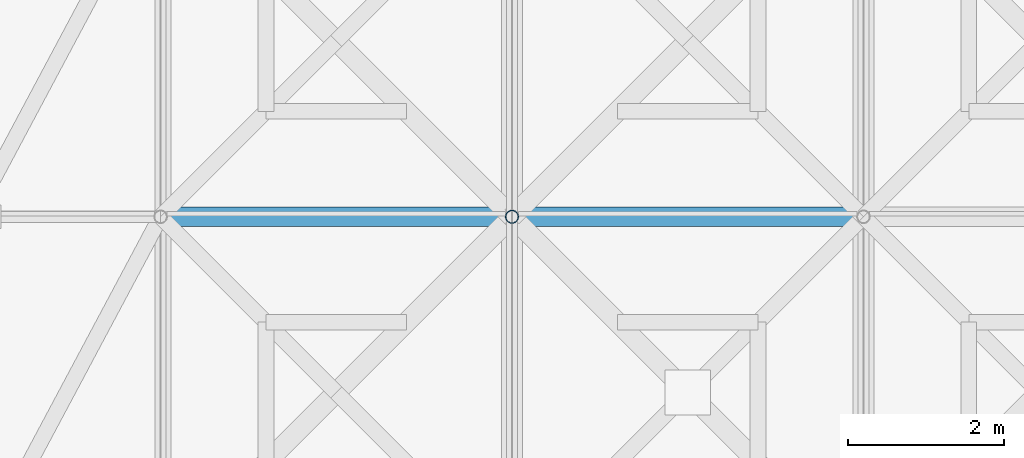
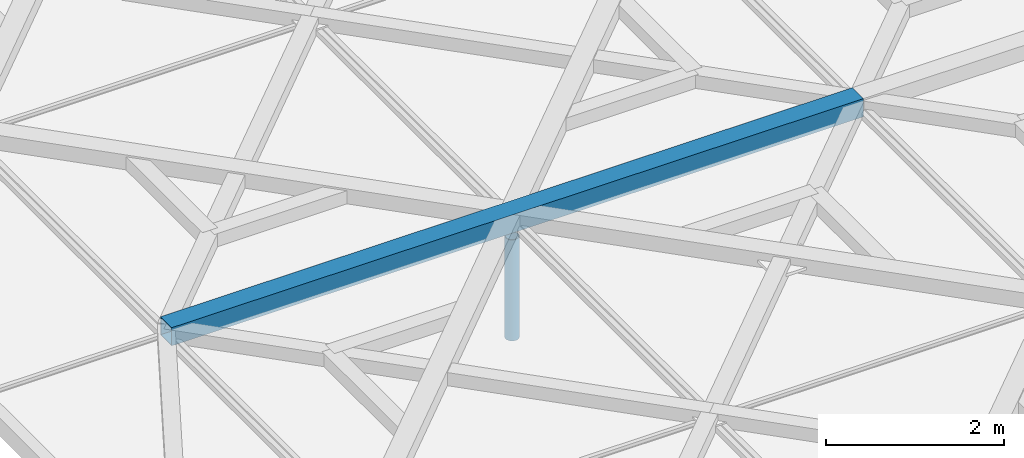
# One storey, part 10 of 80: 2 members.
"""IFC4 building model written with IfcOpenShell, lengths in metres."""

from ifc_helpers import new_model, si_unit, direction, frame, origin, origin_2d, place, context, subcontext, project, spatial, hollow_rectangle, hollow_circle, extrude, material, material_profile, profile_set, type_object, element, save


model = new_model("IFC4")

# Units and contexts
model_context = context("Model", 3, precision=1e-05, world=origin(), true_north=direction((0.0, 1.0)))
body_context = subcontext(model_context, "Body", "Model", "MODEL_VIEW")
ifc_project = project(units=[si_unit("LENGTHUNIT", "METRE"), si_unit("AREAUNIT", "SQUARE_METRE"), si_unit("VOLUMEUNIT", "CUBIC_METRE"), si_unit("PLANEANGLEUNIT", "RADIAN"), si_unit("MASSUNIT", "GRAM", prefix="KILO"), si_unit("THERMODYNAMICTEMPERATUREUNIT", "KELVIN"), si_unit("POWERUNIT", "WATT")], contexts=[model_context])

# Site, building, storey
site_placement = place(None, origin())
site = spatial("IfcSite", under=ifc_project, at=site_placement, CompositionType="ELEMENT")
building_placement = place(site_placement, origin())
building = spatial("IfcBuilding", under=site, at=building_placement, Name="Tallowbark Science Centre", CompositionType="ELEMENT")
storey_placement = place(building_placement, frame((0.0, 0.0, 25.949951171875)))
storey = spatial("IfcBuildingStorey", under=building, at=storey_placement, Name="ROOF", CompositionType="ELEMENT", Elevation=25.949951171875)

# Members
ifc_material = material(Name="White Architectural Painted Steel Grade C350L0 (350 MPa)", Category="steel")
ifc_material_profile_1 = material_profile(ifc_material, hollow_rectangle(XDim=0.25, YDim=0.25, WallThickness=0.009033203125, at=origin_2d()), Name="250x250x9.0SHS")
ifc_profile_set_1 = profile_set([ifc_material_profile_1], Name="White Architectural Painted Steel Grade C350L0 (350 MPa)")
member_type_1 = type_object("IfcMemberType", Name="SCR-CHD200", PredefinedType="CHORD", material=ifc_profile_set_1)
member_1_placement = place(storey_placement, frame((58.5, 22.5, 0.449951171875), z_axis=(1.0, 0.0, 0.0), x_axis=(0.0, 1.0, 0.0)))
element("IfcMember", 1, at=member_1_placement, inside=storey, type_object=member_type_1, Name="Star Screen Frame Chord TOP-55", PredefinedType="CHORD", context=body_context, shape_type="SweptSolid", body=[
    extrude(hollow_rectangle(XDim=0.25, YDim=0.25, WallThickness=0.009033203125, at=origin_2d()), origin(), (0.0, 0.0, 1.0), 9.0),
])
ifc_material_profile_2 = material_profile(ifc_material, hollow_circle(Radius=0.084228515625, WallThickness=0.007080078125, at=origin_2d()), Name="168.3x7.1CHS")
ifc_profile_set_2 = profile_set([ifc_material_profile_2], Name="White Architectural Painted Steel Grade C350L0 (350 MPa)")
member_type_2 = type_object("IfcMemberType", Name="TR-WEB168", PredefinedType="BRACE", material=ifc_profile_set_2)
member_2_placement = place(storey_placement, frame((63.0, 22.5, -1.199951171875), z_axis=(0.0, 0.0, 1.0), x_axis=(1.0, 0.0, 0.0)))
element("IfcMember", 2, at=member_2_placement, inside=storey, type_object=member_type_2, Name="Exhibition Roof Truss Web 2-22.5", PredefinedType="BRACE", context=body_context, shape_type="SweptSolid", body=[
    extrude(hollow_circle(Radius=0.084228515625, WallThickness=0.007080078125, at=origin_2d()), origin(), (0.0, 0.0, 1.0), 1.389892578125),
])

save(model, "model.ifc")
